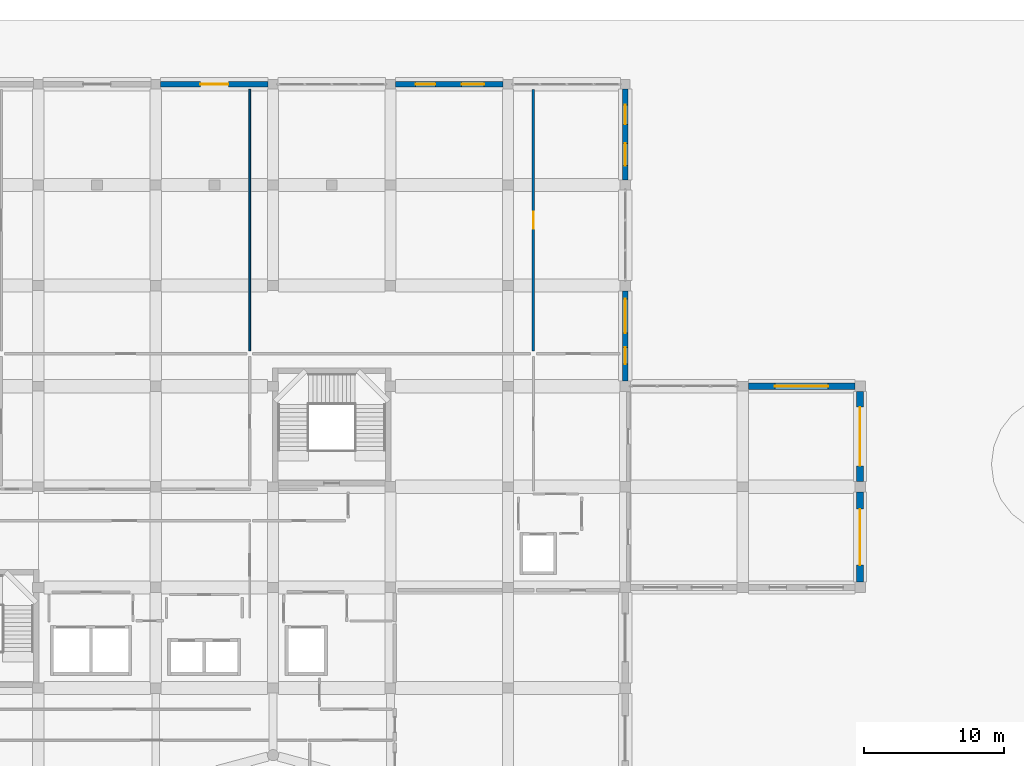
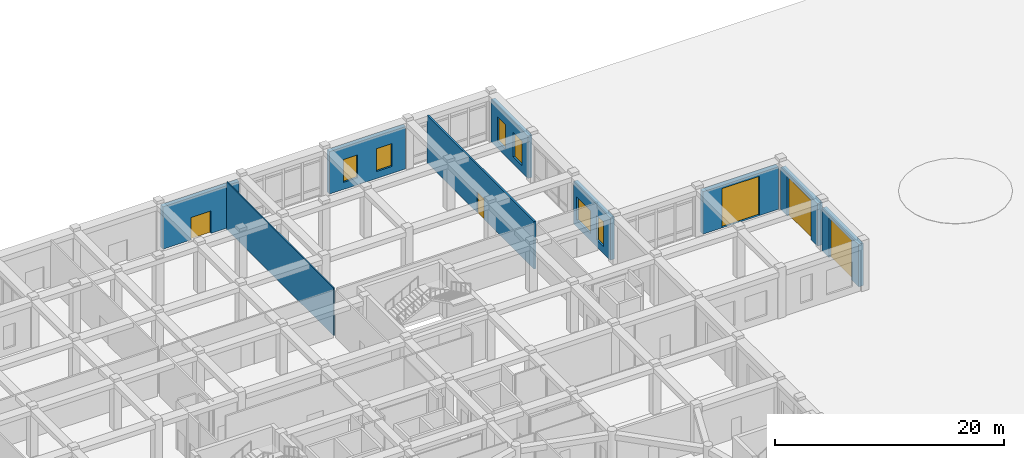
# One storey, part 75 of 84: 9 walls, 6 windows, 5 doors, 11 openings.
"""IFC4 building model written with IfcOpenShell, lengths in metres."""

import ifcopenshell
import ifcopenshell.guid

model = None  # the IFC model being written
_history = None  # IfcOwnerHistory: only IFC2X3 demands one
_inside = {}  # id of a spatial element -> (the spatial element, [elements in it])
_under = {}  # id of a project, library or spatial element -> (it, [spatial elements below it])
_declared = {}  # id of a project -> (the project, [libraries it declares])
_typed = {}  # id of a type object -> (the type object, [elements of that type])
_made_of = {}  # id of a material, layer set ... -> (it, [elements and type objects made of it])


def new_model(schema):
    """Start an empty IFC model of exactly this schema.

    Asked for "IFC4X3", IfcOpenShell would pick the latest addendum, in which some entities
    have other attributes; the version numbers below select the first issue.
    IFC2X3 requires an IfcOwnerHistory on every rooted entity: one is made here for all.
    """
    global model, _history
    if schema == "IFC4X3":
        model = ifcopenshell.file(schema_version=(4, 3, 0, 0))
    else:
        model = ifcopenshell.file(schema=schema)
    _inside.clear()
    _under.clear()
    _declared.clear()
    _typed.clear()
    _made_of.clear()
    _history = None
    if model.schema == "IFC2X3":
        org = make("IfcOrganization", Name="unknown")
        user = make(
            "IfcPersonAndOrganization",
            ThePerson=make("IfcPerson", FamilyName="unknown"),
            TheOrganization=org,
        )
        app = make(
            "IfcApplication",
            ApplicationDeveloper=org,
            Version="unknown",
            ApplicationFullName="unknown",
            ApplicationIdentifier="unknown",
        )
        _history = make(
            "IfcOwnerHistory",
            OwningUser=user,
            OwningApplication=app,
            ChangeAction="ADDED",
            CreationDate=0,
        )
    return model


def make(cls, **values):
    """One entity of the class cls with the attributes given. An attribute that is None is left unset."""
    return model.create_entity(
        cls, **{name: value for name, value in values.items() if value is not None}
    )


def rooted(cls, **values):
    """An entity with a GlobalId (a new one), such as an element, a storey or a relation."""
    return make(cls, GlobalId=ifcopenshell.guid.new(), OwnerHistory=_history, **values)


def si_unit(unit_type, name, prefix=None):
    """IfcSIUnit, for example si_unit("LENGTHUNIT", "METRE", prefix="MILLI")."""
    return make("IfcSIUnit", UnitType=unit_type, Prefix=prefix, Name=name)


def derived_unit(unit_type, elements):
    """IfcDerivedUnit: a product of units, each with its exponent."""
    return make(
        "IfcDerivedUnit",
        Elements=[
            make("IfcDerivedUnitElement", Unit=unit, Exponent=power)
            for unit, power in elements
        ],
        UnitType=unit_type,
    )


def assignment(units):
    """IfcUnitAssignment: the units of a project."""
    return None if units is None else make("IfcUnitAssignment", Units=units)


def point(xyz):
    """IfcCartesianPoint."""
    return None if xyz is None else make("IfcCartesianPoint", Coordinates=xyz)


def direction(xyz):
    """IfcDirection."""
    return None if xyz is None else make("IfcDirection", DirectionRatios=xyz)


def frame(location, z_axis=None, x_axis=None):
    """IfcAxis2Placement3D, a coordinate frame: its origin and axes. An axis left out is left unset."""
    return make(
        "IfcAxis2Placement3D",
        Location=point(location),
        Axis=direction(z_axis),
        RefDirection=direction(x_axis),
    )


def frame_2d(location, x_axis=None):
    """IfcAxis2Placement2D, a coordinate frame in the plane: its origin and x axis."""
    return make(
        "IfcAxis2Placement2D", Location=point(location), RefDirection=direction(x_axis)
    )


def origin():
    """The frame at (0, 0, 0) with its axes left unset."""
    return frame((0.0, 0.0, 0.0))


def place(relative_to, where):
    """IfcLocalPlacement: puts the frame where relative to a parent placement (None: the world)."""
    return make(
        "IfcLocalPlacement", PlacementRelTo=relative_to, RelativePlacement=where
    )


def context(
    kind, dimensions, precision=None, world=None, true_north=None, identifier=None
):
    """IfcGeometricRepresentationContext, for example the 3D "Model" context."""
    return make(
        "IfcGeometricRepresentationContext",
        ContextIdentifier=identifier,
        ContextType=kind,
        CoordinateSpaceDimension=dimensions,
        Precision=precision,
        WorldCoordinateSystem=world,
        TrueNorth=true_north,
    )


def subcontext(parent, identifier, kind, view, scale=None):
    """IfcGeometricRepresentationSubContext, for example "Body" below "Model"."""
    return make(
        "IfcGeometricRepresentationSubContext",
        ContextIdentifier=identifier,
        ContextType=kind,
        ParentContext=parent,
        TargetScale=scale,
        TargetView=view,
    )


def project(units=None, contexts=None):
    """IfcProject with its units and contexts."""
    return rooted(
        "IfcProject",
        Name="project",
        RepresentationContexts=contexts,
        UnitsInContext=assignment(units),
    )


def spatial(cls, under=None, at=None, **own):
    """A site, building, storey or space (cls), placed at a placement, below another one or the project."""
    s = rooted(cls, ObjectPlacement=at, **own)
    if under is not None:
        _under.setdefault(under.id(), (under, []))[1].append(s)
    return s


def profile(cls, at=None, kind="AREA", **sizes):
    """A parametric profile (cls). Its sizes go by their IFC names, for example OverallWidth=200.0."""
    return make(cls, ProfileType=kind, Position=at, **sizes)


def rectangle(**sizes):
    """IfcRectangleProfileDef."""
    return profile("IfcRectangleProfileDef", **sizes)


def extrude(swept, where, along, depth):
    """IfcExtrudedAreaSolid: the profile swept, set in the frame where, extruded along a direction by depth."""
    return make(
        "IfcExtrudedAreaSolid",
        SweptArea=swept,
        Position=where,
        ExtrudedDirection=direction(along),
        Depth=depth,
    )


def shape(context_of_items, identifier, shape_type, items):
    """IfcShapeRepresentation: the items that make up one representation, for example the "Body"."""
    return make(
        "IfcShapeRepresentation",
        ContextOfItems=context_of_items,
        RepresentationIdentifier=identifier,
        RepresentationType=shape_type,
        Items=items,
    )


def material(Name=None, Category=None):
    """IfcMaterial."""
    return make("IfcMaterial", Name=Name, Category=Category)


def layer(
    of_material, thickness, ventilated=None, Name=None, Category=None, Priority=None
):
    """IfcMaterialLayer: one layer of a wall or slab, of a material (None: an air gap)."""
    return make(
        "IfcMaterialLayer",
        Material=of_material,
        LayerThickness=thickness,
        IsVentilated=ventilated,
        Name=Name,
        Category=Category,
        Priority=Priority,
    )


def layer_set(layers, Name=None):
    """IfcMaterialLayerSet."""
    return make("IfcMaterialLayerSet", MaterialLayers=layers, LayerSetName=Name)


def made_of(thing, what):
    """Note that an element or type object is made of a material, layer set ...; save() writes the relation."""
    if what is not None:
        _made_of.setdefault(what.id(), (what, []))[1].append(thing)
    return thing


def type_object(cls, material=None, **own):
    """A type object (cls), such as IfcWallType, which elements share."""
    return made_of(rooted(cls, **own), material)


def element(
    cls,
    number,
    at=None,
    inside=None,
    cuts=None,
    type_object=None,
    material=None,
    context=None,
    identifier="Body",
    shape_type=None,
    held_by="IfcProductDefinitionShape",
    body=None,
    shapes=None,
    **own,
):
    """One element of the class cls, such as IfcWall. Its Tag is "e" and its number.

    at: its placement. inside: the storey or other place that contains it. cuts: it is an
    opening in that element (IfcRelVoidsElement). A single representation is given by context,
    identifier, shape_type and body (its items); several are given by shapes. held_by: the class
    of the entity that holds the representations. save() writes the other relations.
    """
    e = rooted(cls, Tag="e%d" % number, ObjectPlacement=at, **own)
    if body is not None:
        shapes = [shape(context, identifier, shape_type, body)]
    if shapes is not None:
        e.Representation = make(held_by, Representations=shapes)
    if inside is not None:
        _inside.setdefault(inside.id(), (inside, []))[1].append(e)
    if cuts is not None:
        rooted(
            "IfcRelVoidsElement", RelatingBuildingElement=cuts, RelatedOpeningElement=e
        )
    if type_object is not None:
        _typed.setdefault(type_object.id(), (type_object, []))[1].append(e)
    return made_of(e, material)


def fill(opening, filler):
    """IfcRelFillsElement: the door or window that sits in an opening."""
    return rooted(
        "IfcRelFillsElement",
        RelatingOpeningElement=opening,
        RelatedBuildingElement=filler,
    )


def aggregate(whole, parts):
    """IfcRelAggregates: a whole, such as a stair, and the parts it consists of."""
    return rooted("IfcRelAggregates", RelatingObject=whole, RelatedObjects=parts)


def save(model, path):
    """Write the relations noted so far, then the file.

    IfcRelAggregates (storeys below a building ...), IfcRelContainedInSpatialStructure (elements
    in a storey), IfcRelDefinesByType, IfcRelAssociatesMaterial and IfcRelDeclares: one each for
    every whole, place, type object, material and project.
    """
    for whole, parts in _under.values():
        aggregate(whole, parts)
    for where, things in _inside.values():
        rooted(
            "IfcRelContainedInSpatialStructure",
            RelatedElements=things,
            RelatingStructure=where,
        )
    for kind, things in _typed.values():
        rooted("IfcRelDefinesByType", RelatedObjects=things, RelatingType=kind)
    for what, things in _made_of.values():
        rooted("IfcRelAssociatesMaterial", RelatedObjects=things, RelatingMaterial=what)
    for by, libraries in _declared.values():
        rooted("IfcRelDeclares", RelatingContext=by, RelatedDefinitions=libraries)
    model.write(path)


model = new_model("IFC4")

# Units and contexts
model_context = context("Model", 3, precision=1e-05, world=origin(), true_north=direction((0.0, 1.0)))
body_context = subcontext(model_context, "Body", "Model", "MODEL_VIEW")
ifc_project = project(units=[si_unit("LENGTHUNIT", "METRE"), si_unit("AREAUNIT", "SQUARE_METRE"), si_unit("VOLUMEUNIT", "CUBIC_METRE"), si_unit("PLANEANGLEUNIT", "RADIAN"), si_unit("MASSUNIT", "GRAM", prefix="KILO"), derived_unit("THERMALTRANSMITTANCEUNIT", [(si_unit("POWERUNIT", "WATT"), 1), (si_unit("LENGTHUNIT", "METRE"), -2), (si_unit("THERMODYNAMICTEMPERATUREUNIT", "KELVIN"), -1)])], contexts=[model_context])

# Site, building, storey
site_placement = place(None, origin())
site = spatial("IfcSite", under=ifc_project, at=site_placement, CompositionType="ELEMENT")
building_placement = place(site_placement, origin())
building = spatial("IfcBuilding", under=site, at=building_placement, Name="Veybourne Emporium", CompositionType="ELEMENT")
storey_placement = place(building_placement, origin())
storey = spatial("IfcBuildingStorey", under=building, at=storey_placement, Name="L00", CompositionType="ELEMENT", Elevation=0.0)

# Wall, opening, door
ifc_material_1 = material(Name="Portland Limestone Ashlar", Category="masonry")
ifc_layer_1 = layer(ifc_material_1, 0.47998046875)
ifc_layer_set_1 = layer_set([ifc_layer_1], Name="Portland Limestone Ashlar")
wall_type_1 = type_object("IfcWallType", Name="ExtWall_EW-01", PredefinedType="SOLIDWALL", material=ifc_layer_set_1)
wall_1_placement = place(storey_placement, frame((117.60009765625, 86.02490234375, 0.0), z_axis=(0.0, 0.0, 1.0), x_axis=(0.0, -1.0, 0.0)))
wall_1 = element("IfcWall", 1, at=wall_1_placement, inside=storey, type_object=wall_type_1, Name="Loading dock external wall 1", PredefinedType="SOLIDWALL", context=body_context, shape_type="SweptSolid", body=[
    extrude(rectangle(XDim=6.449951171875, YDim=0.47998046875, at=frame_2d((3.22509765625, 0.0))), origin(), (0.0, 0.0, 1.0), 4.530029296875),
])
opening_1_placement = place(wall_1_placement, frame((1.22509765625, 0.0, 0.0)))
opening_1 = element("IfcOpeningElement", 2, at=opening_1_placement, cuts=wall_1, Name="Opening SG-01", PredefinedType="OPENING", context=body_context, shape_type="SweptSolid", body=[
    extrude(rectangle(XDim=4.0, YDim=4.22998046875, at=frame_2d((2.0, 2.114990234375))), frame((0.0, 0.260009765625, 0.0), z_axis=(0.0, -1.0, 0.0), x_axis=(1.0, 0.0, 0.0)), (0.0, 0.0, 1.0), 0.52001953125),
])
ifc_material_2 = material(Name="Brushed Stainless Steel", Category="steel")
door_type_1 = type_object("IfcDoorType", Name="Shutter_SG-01", OperationType="ROLLINGUP", PredefinedType="GATE", material=ifc_material_2)
door_1_placement = place(opening_1_placement, origin())
door_1 = element("IfcDoor", 3, at=door_1_placement, inside=storey, type_object=door_type_1, Name="HGV loading dock roller shutter SG-01", OperationType="ROLLINGUP", OverallHeight=4.22998046875, OverallWidth=4.0, PredefinedType="GATE", context=body_context, shape_type="SweptSolid", body=[
    extrude(rectangle(XDim=4.0, YDim=4.22998046875, at=frame_2d((2.0, 2.114990234375))), frame((0.0, 0.02490234375, 0.0), z_axis=(0.0, -1.0, 0.0), x_axis=(1.0, 0.0, 0.0)), (0.0, 0.0, 1.0), 0.050048828125),
])
fill(opening_1, door_1)

wall_2_placement = place(storey_placement, frame((117.60009765625, 93.22509765625, 0.0), z_axis=(0.0, 0.0, 1.0), x_axis=(0.0, -1.0, 0.0)))
wall_2 = element("IfcWall", 4, at=wall_2_placement, inside=storey, type_object=wall_type_1, Name="Loading dock external wall 2", PredefinedType="SOLIDWALL", context=body_context, shape_type="SweptSolid", body=[
    extrude(rectangle(XDim=6.4501953125, YDim=0.47998046875, at=frame_2d((3.22509765625, 0.0))), origin(), (0.0, 0.0, 1.0), 4.530029296875),
])
opening_2_placement = place(wall_2_placement, frame((1.125, 0.0, 0.0)))
opening_2 = element("IfcOpeningElement", 5, at=opening_2_placement, cuts=wall_2, Name="Opening SG-02", PredefinedType="OPENING", context=body_context, shape_type="SweptSolid", body=[
    extrude(rectangle(XDim=4.199951171875, YDim=4.22998046875, at=frame_2d((2.10009765625, 2.114990234375))), frame((0.0, 0.260009765625, 0.0), z_axis=(0.0, -1.0, 0.0), x_axis=(1.0, 0.0, 0.0)), (0.0, 0.0, 1.0), 0.52001953125),
])
door_type_2 = type_object("IfcDoorType", Name="Shutter_SG-02", OperationType="ROLLINGUP", PredefinedType="GATE", material=ifc_material_2)
door_2_placement = place(opening_2_placement, origin())
door_2 = element("IfcDoor", 6, at=door_2_placement, inside=storey, type_object=door_type_2, Name="HGV loading dock roller shutter SG-02", OperationType="ROLLINGUP", OverallHeight=4.22998046875, OverallWidth=4.199951171875, PredefinedType="GATE", context=body_context, shape_type="SweptSolid", body=[
    extrude(rectangle(XDim=4.199951171875, YDim=4.22998046875, at=frame_2d((2.10009765625, 2.114990234375))), frame((0.0, 0.02490234375, 0.0), z_axis=(0.0, -1.0, 0.0), x_axis=(1.0, 0.0, 0.0)), (0.0, 0.0, 1.0), 0.050048828125),
])
fill(opening_2, door_2)

wall_3_placement = place(storey_placement, frame((109.60009765625, 93.60009765625, 0.0), z_axis=(0.0, 0.0, 1.0), x_axis=(1.0, 0.0, 0.0)))
wall_3 = element("IfcWall", 7, at=wall_3_placement, inside=storey, type_object=wall_type_1, Name="Loading dock external wall 3", PredefinedType="SOLIDWALL", context=body_context, shape_type="SweptSolid", body=[
    extrude(rectangle(XDim=7.625, YDim=0.47998046875, at=frame_2d((3.8125, 0.0))), origin(), (0.0, 0.0, 1.0), 4.530029296875),
])
opening_3_placement = place(wall_3_placement, frame((1.91259765625, 0.0, 0.0)))
opening_3 = element("IfcOpeningElement", 8, at=opening_3_placement, cuts=wall_3, Name="Opening SG-03", PredefinedType="OPENING", context=body_context, shape_type="SweptSolid", body=[
    extrude(rectangle(XDim=3.800048828125, YDim=4.199951171875, at=frame_2d((1.89990234375, 2.10009765625))), frame((0.0, 0.260009765625, 0.0), z_axis=(0.0, -1.0, 0.0), x_axis=(1.0, 0.0, 0.0)), (0.0, 0.0, 1.0), 0.52001953125),
])
door_type_3 = type_object("IfcDoorType", Name="Shutter_SG-03", OperationType="ROLLINGUP", PredefinedType="GATE", material=ifc_material_2)
door_3_placement = place(opening_3_placement, origin())
door_3 = element("IfcDoor", 9, at=door_3_placement, inside=storey, type_object=door_type_3, Name="HGV loading dock roller shutter SG-03", OperationType="ROLLINGUP", OverallHeight=4.199951171875, OverallWidth=3.800048828125, PredefinedType="GATE", context=body_context, shape_type="SweptSolid", body=[
    extrude(rectangle(XDim=3.800048828125, YDim=4.199951171875, at=frame_2d((1.89990234375, 2.10009765625))), frame((0.0, 0.02490234375, 0.0), z_axis=(0.0, -1.0, 0.0), x_axis=(1.0, 0.0, 0.0)), (0.0, 0.0, 1.0), 0.050048828125),
])
fill(opening_3, door_3)

ifc_material_3 = material(Name="Honed Black Granite Plinth", Category="masonry")
ifc_layer_2 = layer(ifc_material_3, 0.419921875)
ifc_layer_set_2 = layer_set([ifc_layer_2], Name="Honed Black Granite Plinth")
wall_type_2 = type_object("IfcWallType", Name="ExtWall_EW-02", PredefinedType="SOLIDWALL", material=ifc_layer_set_2)
wall_4_placement = place(storey_placement, frame((67.550048828125, 115.199951171875, 0.0), z_axis=(0.0, 0.0, 1.0), x_axis=(1.0, 0.0, 0.0)))
wall_4 = element("IfcWall", 10, at=wall_4_placement, inside=storey, type_object=wall_type_2, Name="Ground street granite plinth entrance wall 034", PredefinedType="SOLIDWALL", context=body_context, shape_type="SweptSolid", body=[
    extrude(rectangle(XDim=7.699951171875, YDim=0.419921875, at=frame_2d((3.85009765625, 0.0))), origin(), (0.0, 0.0, 1.0), 4.530029296875),
])
opening_4_placement = place(wall_4_placement, frame((2.85009765625, 0.0, 0.0)))
opening_4 = element("IfcOpeningElement", 11, at=opening_4_placement, cuts=wall_4, Name="Opening EX-01", PredefinedType="OPENING", context=body_context, shape_type="SweptSolid", body=[
    extrude(rectangle(XDim=2.0, YDim=2.39990234375, at=frame_2d((1.0, 1.199951171875))), frame((0.0, 0.22998046875, 0.0), z_axis=(0.0, -1.0, 0.0), x_axis=(1.0, 0.0, 0.0)), (0.0, 0.0, 1.0), 0.4599609375),
])
ifc_material_4 = material(Name="Patinated Architectural Bronze", Category="bronze")
door_type_4 = type_object("IfcDoorType", Name="ExitDoor_EX-01", OperationType="DOUBLE_DOOR_SINGLE_SWING", PredefinedType="DOOR", material=ifc_material_4)
door_4_placement = place(opening_4_placement, origin())
door_4 = element("IfcDoor", 12, at=door_4_placement, inside=storey, type_object=door_type_4, Name="Pedestrian final exit door EX-01 #18", OperationType="DOUBLE_DOOR_SINGLE_SWING", OverallHeight=2.39990234375, OverallWidth=2.0, PredefinedType="DOOR", context=body_context, shape_type="SweptSolid", body=[
    extrude(rectangle(XDim=2.0, YDim=2.39990234375, at=frame_2d((1.0, 1.199951171875))), frame((0.0, 0.02490234375, 0.0), z_axis=(0.0, -1.0, 0.0), x_axis=(1.0, 0.0, 0.0)), (0.0, 0.0, 1.0), 0.050048828125),
])
fill(opening_4, door_4)

# Wall, openings, windows
wall_5_placement = place(storey_placement, frame((84.35009765625, 115.199951171875, 0.0), z_axis=(0.0, 0.0, 1.0), x_axis=(1.0, 0.0, 0.0)))
wall_5 = element("IfcWall", 13, at=wall_5_placement, inside=storey, type_object=wall_type_2, Name="L00 Portland stone external wall 039", PredefinedType="SOLIDWALL", context=body_context, shape_type="SweptSolid", body=[
    extrude(rectangle(XDim=7.699951171875, YDim=0.419921875, at=frame_2d((3.85009765625, 0.0))), origin(), (0.0, 0.0, 1.0), 4.530029296875),
])
opening_5_placement = place(wall_5_placement, frame((1.4560546875, 0.0, 0.75)))
opening_5 = element("IfcOpeningElement", 14, at=opening_5_placement, cuts=wall_5, Name="Opening W-26", PredefinedType="OPENING", context=body_context, shape_type="SweptSolid", body=[
    extrude(rectangle(XDim=1.39990234375, YDim=2.43994140625, at=frame_2d((0.699951171875, 1.219970703125))), frame((0.0, 0.22998046875, 0.0), z_axis=(0.0, -1.0, 0.0), x_axis=(1.0, 0.0, 0.0)), (0.0, 0.0, 1.0), 0.4599609375),
])
opening_6_placement = place(wall_5_placement, frame((4.743896484375, 0.0, 0.75)))
opening_6 = element("IfcOpeningElement", 15, at=opening_6_placement, cuts=wall_5, Name="Opening W-27", PredefinedType="OPENING", context=body_context, shape_type="SweptSolid", body=[
    extrude(rectangle(XDim=1.60009765625, YDim=2.43994140625, at=frame_2d((0.800048828125, 1.219970703125))), frame((0.0, 0.22998046875, 0.0), z_axis=(0.0, -1.0, 0.0), x_axis=(1.0, 0.0, 0.0)), (0.0, 0.0, 1.0), 0.4599609375),
])
ifc_material_5 = material(Name="Low-E Triple Glazing", Category="glass")
window_type_1 = type_object("IfcWindowType", Name="Win_W-26", PartitioningType="DOUBLE_PANEL_VERTICAL", PredefinedType="WINDOW", material=ifc_material_5)
window_1_placement = place(opening_5_placement, origin())
window_1 = element("IfcWindow", 16, at=window_1_placement, inside=storey, type_object=window_type_1, Name="L00 tripartite bronze casement window W-26 (39.1)", OverallHeight=2.43994140625, OverallWidth=1.39990234375, PartitioningType="DOUBLE_PANEL_VERTICAL", PredefinedType="WINDOW", context=body_context, shape_type="SweptSolid", body=[
    extrude(rectangle(XDim=1.39990234375, YDim=2.43994140625, at=frame_2d((0.699951171875, 1.219970703125))), frame((0.0, 0.030029296875, 0.0), z_axis=(0.0, -1.0, 0.0), x_axis=(1.0, 0.0, 0.0)), (0.0, 0.0, 1.0), 0.06005859375),
])
fill(opening_5, window_1)
window_type_2 = type_object("IfcWindowType", Name="Win_W-27", PartitioningType="DOUBLE_PANEL_VERTICAL", PredefinedType="WINDOW", material=ifc_material_5)
window_2_placement = place(opening_6_placement, origin())
window_2 = element("IfcWindow", 17, at=window_2_placement, inside=storey, type_object=window_type_2, Name="L00 tripartite bronze casement window W-27 (39.2)", OverallHeight=2.43994140625, OverallWidth=1.60009765625, PartitioningType="DOUBLE_PANEL_VERTICAL", PredefinedType="WINDOW", context=body_context, shape_type="SweptSolid", body=[
    extrude(rectangle(XDim=1.60009765625, YDim=2.43994140625, at=frame_2d((0.800048828125, 1.219970703125))), frame((0.0, 0.030029296875, 0.0), z_axis=(0.0, -1.0, 0.0), x_axis=(1.0, 0.0, 0.0)), (0.0, 0.0, 1.0), 0.06005859375),
])
fill(opening_6, window_2)

wall_6_placement = place(storey_placement, frame((100.800048828125, 100.425048828125, 0.0), z_axis=(0.0, 0.0, 1.0), x_axis=(0.0, -1.0, 0.0)))
wall_6 = element("IfcWall", 18, at=wall_6_placement, inside=storey, type_object=wall_type_2, Name="L00 Portland stone external wall 049", PredefinedType="SOLIDWALL", context=body_context, shape_type="SweptSolid", body=[
    extrude(rectangle(XDim=6.449951171875, YDim=0.419921875, at=frame_2d((3.22509765625, 0.0))), origin(), (0.0, 0.0, 1.0), 4.530029296875),
])
opening_7_placement = place(wall_6_placement, frame((0.5810546875, 0.0, 0.75)))
opening_7 = element("IfcOpeningElement", 19, at=opening_7_placement, cuts=wall_6, Name="Opening W-32", PredefinedType="OPENING", context=body_context, shape_type="SweptSolid", body=[
    extrude(rectangle(XDim=2.449951171875, YDim=2.43994140625, at=frame_2d((1.22509765625, 1.219970703125))), frame((0.0, 0.22998046875, 0.0), z_axis=(0.0, -1.0, 0.0), x_axis=(1.0, 0.0, 0.0)), (0.0, 0.0, 1.0), 0.4599609375),
])
opening_8_placement = place(wall_6_placement, frame((4.0439453125, 0.0, 0.75)))
opening_8 = element("IfcOpeningElement", 20, at=opening_8_placement, cuts=wall_6, Name="Opening W-33", PredefinedType="OPENING", context=body_context, shape_type="SweptSolid", body=[
    extrude(rectangle(XDim=1.199951171875, YDim=2.6201171875, at=frame_2d((0.60009765625, 1.31005859375))), frame((0.0, 0.22998046875, 0.0), z_axis=(0.0, -1.0, 0.0), x_axis=(1.0, 0.0, 0.0)), (0.0, 0.0, 1.0), 0.4599609375),
])
window_type_3 = type_object("IfcWindowType", Name="Win_W-32", PartitioningType="TRIPLE_PANEL_VERTICAL", PredefinedType="WINDOW", material=ifc_material_5)
window_3_placement = place(opening_7_placement, origin())
window_3 = element("IfcWindow", 21, at=window_3_placement, inside=storey, type_object=window_type_3, Name="L00 tripartite bronze casement window W-32 (49.1)", OverallHeight=2.43994140625, OverallWidth=2.449951171875, PartitioningType="TRIPLE_PANEL_VERTICAL", PredefinedType="WINDOW", context=body_context, shape_type="SweptSolid", body=[
    extrude(rectangle(XDim=2.449951171875, YDim=2.43994140625, at=frame_2d((1.22509765625, 1.219970703125))), frame((0.0, 0.030029296875, 0.0), z_axis=(0.0, -1.0, 0.0), x_axis=(1.0, 0.0, 0.0)), (0.0, 0.0, 1.0), 0.06005859375),
])
fill(opening_7, window_3)
window_type_4 = type_object("IfcWindowType", Name="Win_W-33", PartitioningType="SINGLE_PANEL", PredefinedType="WINDOW", material=ifc_material_5)
window_4_placement = place(opening_8_placement, origin())
window_4 = element("IfcWindow", 22, at=window_4_placement, inside=storey, type_object=window_type_4, Name="L00 tripartite bronze casement window W-33 (49.2)", OverallHeight=2.6201171875, OverallWidth=1.199951171875, PartitioningType="SINGLE_PANEL", PredefinedType="WINDOW", context=body_context, shape_type="SweptSolid", body=[
    extrude(rectangle(XDim=1.199951171875, YDim=2.6201171875, at=frame_2d((0.60009765625, 1.31005859375))), frame((0.0, 0.030029296875, 0.0), z_axis=(0.0, -1.0, 0.0), x_axis=(1.0, 0.0, 0.0)), (0.0, 0.0, 1.0), 0.06005859375),
])
fill(opening_8, window_4)

wall_7_placement = place(storey_placement, frame((100.800048828125, 114.85009765625, 0.0), z_axis=(0.0, 0.0, 1.0), x_axis=(0.0, -1.0, 0.0)))
wall_7 = element("IfcWall", 23, at=wall_7_placement, inside=storey, type_object=wall_type_2, Name="L00 Portland stone external wall 051", PredefinedType="SOLIDWALL", context=body_context, shape_type="SweptSolid", body=[
    extrude(rectangle(XDim=6.489990234375, YDim=0.419921875, at=frame_2d((3.2451171875, 0.0))), origin(), (0.0, 0.0, 1.0), 4.530029296875),
])
opening_9_placement = place(wall_7_placement, frame((1.1171875, 0.0, 0.75)))
opening_9 = element("IfcOpeningElement", 24, at=opening_9_placement, cuts=wall_7, Name="Opening W-34", PredefinedType="OPENING", context=body_context, shape_type="SweptSolid", body=[
    extrude(rectangle(XDim=1.39990234375, YDim=2.6201171875, at=frame_2d((0.699951171875, 1.31005859375))), frame((0.0, 0.22998046875, 0.0), z_axis=(0.0, -1.0, 0.0), x_axis=(1.0, 0.0, 0.0)), (0.0, 0.0, 1.0), 0.4599609375),
])
opening_10_placement = place(wall_7_placement, frame((3.872802734375, 0.0, 0.75)))
opening_10 = element("IfcOpeningElement", 25, at=opening_10_placement, cuts=wall_7, Name="Opening W-35", PredefinedType="OPENING", context=body_context, shape_type="SweptSolid", body=[
    extrude(rectangle(XDim=1.60009765625, YDim=2.6201171875, at=frame_2d((0.800048828125, 1.31005859375))), frame((0.0, 0.22998046875, 0.0), z_axis=(0.0, -1.0, 0.0), x_axis=(1.0, 0.0, 0.0)), (0.0, 0.0, 1.0), 0.4599609375),
])
window_type_5 = type_object("IfcWindowType", Name="Win_W-34", PartitioningType="DOUBLE_PANEL_VERTICAL", PredefinedType="WINDOW", material=ifc_material_5)
window_5_placement = place(opening_9_placement, origin())
window_5 = element("IfcWindow", 26, at=window_5_placement, inside=storey, type_object=window_type_5, Name="L00 tripartite bronze casement window W-34 (51.1)", OverallHeight=2.6201171875, OverallWidth=1.39990234375, PartitioningType="DOUBLE_PANEL_VERTICAL", PredefinedType="WINDOW", context=body_context, shape_type="SweptSolid", body=[
    extrude(rectangle(XDim=1.39990234375, YDim=2.6201171875, at=frame_2d((0.699951171875, 1.31005859375))), frame((0.0, 0.030029296875, 0.0), z_axis=(0.0, -1.0, 0.0), x_axis=(1.0, 0.0, 0.0)), (0.0, 0.0, 1.0), 0.06005859375),
])
fill(opening_9, window_5)
window_type_6 = type_object("IfcWindowType", Name="Win_W-35", PartitioningType="DOUBLE_PANEL_VERTICAL", PredefinedType="WINDOW", material=ifc_material_5)
window_6_placement = place(opening_10_placement, origin())
window_6 = element("IfcWindow", 27, at=window_6_placement, inside=storey, type_object=window_type_6, Name="L00 tripartite bronze casement window W-35 (51.2)", OverallHeight=2.6201171875, OverallWidth=1.60009765625, PartitioningType="DOUBLE_PANEL_VERTICAL", PredefinedType="WINDOW", context=body_context, shape_type="SweptSolid", body=[
    extrude(rectangle(XDim=1.60009765625, YDim=2.6201171875, at=frame_2d((0.800048828125, 1.31005859375))), frame((0.0, 0.030029296875, 0.0), z_axis=(0.0, -1.0, 0.0), x_axis=(1.0, 0.0, 0.0)), (0.0, 0.0, 1.0), 0.06005859375),
])
fill(opening_10, window_6)

# Wall, opening, door
ifc_material_6 = material(Name="Gypsum Acoustic Board", Category="gypsum")
ifc_layer_3 = layer(ifc_material_6, 0.179931640625)
ifc_layer_set_3 = layer_set([ifc_layer_3], Name="Gypsum Acoustic Board")
wall_type_3 = type_object("IfcWallType", Name="IntWall_IW-01", PredefinedType="PARTITIONING", material=ifc_layer_set_3)
wall_8_placement = place(storey_placement, frame((94.22998046875, 96.1298828125, 0.0), z_axis=(0.0, 0.0, 1.0), x_axis=(0.0, 1.0, 0.0)))
wall_8 = element("IfcWall", 28, at=wall_8_placement, inside=storey, type_object=wall_type_3, Name="L00 interior partition IW-01 #011", PredefinedType="PARTITIONING", context=body_context, shape_type="SweptSolid", body=[
    extrude(rectangle(XDim=18.7001953125, YDim=0.179931640625, at=frame_2d((9.35009765625, 0.0))), origin(), (0.0, 0.0, 1.0), 5.080078125),
])
opening_11_placement = place(wall_8_placement, frame((8.75, 0.0, 0.0)))
opening_11 = element("IfcOpeningElement", 29, at=opening_11_placement, cuts=wall_8, Name="Opening D-15", PredefinedType="OPENING", context=body_context, shape_type="SweptSolid", body=[
    extrude(rectangle(XDim=1.199951171875, YDim=2.2099609375, at=frame_2d((0.60009765625, 1.10498046875))), frame((0.0, 0.10986328125, 0.0), z_axis=(0.0, -1.0, 0.0), x_axis=(1.0, 0.0, 0.0)), (0.0, 0.0, 1.0), 0.219970703125),
])
ifc_material_7 = material(Name="European Oak Veneer and Bronze", Category="wood")
door_type_5 = type_object("IfcDoorType", Name="IntDoor_D-15", OperationType="NOTDEFINED", PredefinedType="DOOR", material=ifc_material_7)
door_5_placement = place(opening_11_placement, origin())
door_5 = element("IfcDoor", 30, at=door_5_placement, inside=storey, type_object=door_type_5, Name="L00 interior door D-15 (PART-L00-011)", OperationType="SINGLE_SWING_LEFT", OverallHeight=2.2099609375, OverallWidth=1.199951171875, PredefinedType="DOOR", context=body_context, shape_type="SweptSolid", body=[
    extrude(rectangle(XDim=1.199951171875, YDim=2.2099609375, at=frame_2d((0.60009765625, 1.10498046875))), frame((0.0, 0.02490234375, 0.0), z_axis=(0.0, -1.0, 0.0), x_axis=(1.0, 0.0, 0.0)), (0.0, 0.0, 1.0), 0.050048828125),
])
fill(opening_11, door_5)

# Wall
ifc_layer_4 = layer(ifc_material_6, 0.1201171875)
ifc_layer_set_4 = layer_set([ifc_layer_4], Name="Gypsum Acoustic Board")
wall_type_4 = type_object("IfcWallType", Name="IntWall_IW-03", PredefinedType="PARTITIONING", material=ifc_layer_set_4)
wall_9_placement = place(storey_placement, frame((73.929931640625, 96.1298828125, 0.0), z_axis=(0.0, 0.0, 1.0), x_axis=(0.0, 1.0, 0.0)))
element("IfcWall", 31, at=wall_9_placement, inside=storey, type_object=wall_type_4, Name="L00 interior partition IW-03 #202", PredefinedType="PARTITIONING", context=body_context, shape_type="SweptSolid", body=[
    extrude(rectangle(XDim=18.7001953125, YDim=0.1201171875, at=frame_2d((9.35009765625, 0.0))), origin(), (0.0, 0.0, 1.0), 5.080078125),
])

save(model, "model.ifc")
